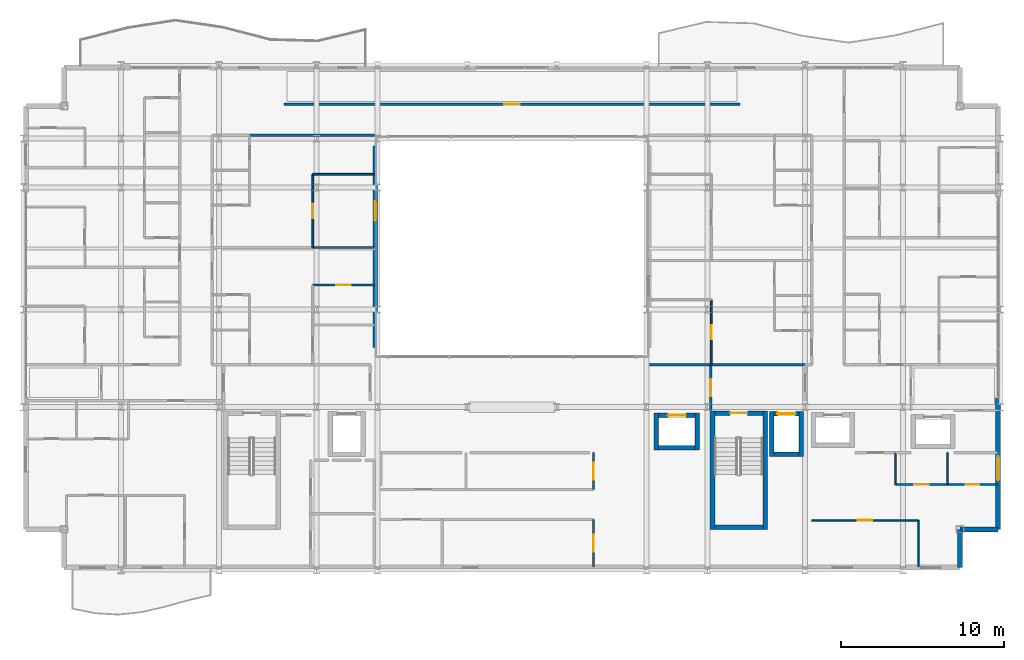
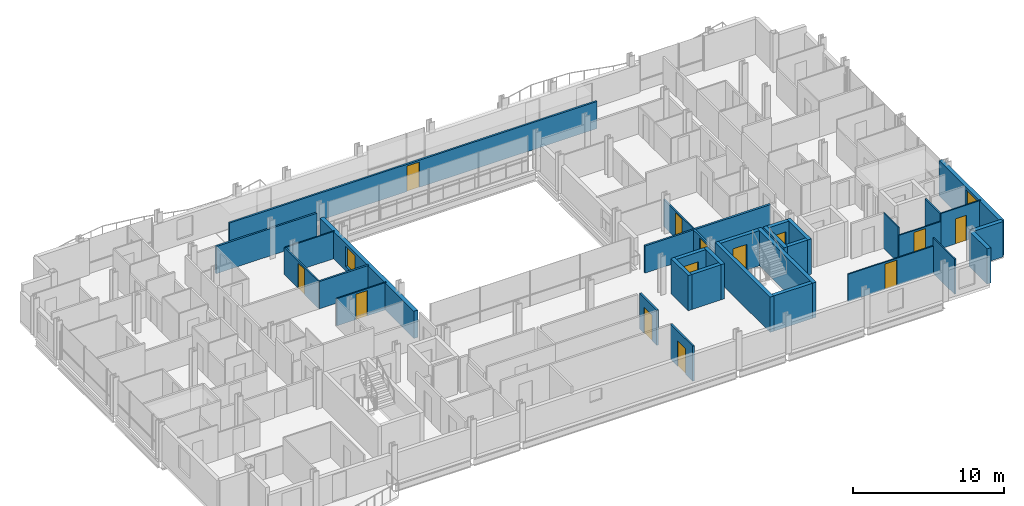
# One storey, part 34 of 41: 34 walls, 13 doors, 2 windows, 15 openings.
"""IFC4 building model written with IfcOpenShell, lengths in metres."""

import ifcopenshell
import ifcopenshell.guid

model = None  # the IFC model being written
_history = None  # IfcOwnerHistory: only IFC2X3 demands one
_inside = {}  # id of a spatial element -> (the spatial element, [elements in it])
_under = {}  # id of a project, library or spatial element -> (it, [spatial elements below it])
_declared = {}  # id of a project -> (the project, [libraries it declares])
_typed = {}  # id of a type object -> (the type object, [elements of that type])
_made_of = {}  # id of a material, layer set ... -> (it, [elements and type objects made of it])


def new_model(schema):
    """Start an empty IFC model of exactly this schema.

    Asked for "IFC4X3", IfcOpenShell would pick the latest addendum, in which some entities
    have other attributes; the version numbers below select the first issue.
    IFC2X3 requires an IfcOwnerHistory on every rooted entity: one is made here for all.
    """
    global model, _history
    if schema == "IFC4X3":
        model = ifcopenshell.file(schema_version=(4, 3, 0, 0))
    else:
        model = ifcopenshell.file(schema=schema)
    _inside.clear()
    _under.clear()
    _declared.clear()
    _typed.clear()
    _made_of.clear()
    _history = None
    if model.schema == "IFC2X3":
        org = make("IfcOrganization", Name="unknown")
        user = make(
            "IfcPersonAndOrganization",
            ThePerson=make("IfcPerson", FamilyName="unknown"),
            TheOrganization=org,
        )
        app = make(
            "IfcApplication",
            ApplicationDeveloper=org,
            Version="unknown",
            ApplicationFullName="unknown",
            ApplicationIdentifier="unknown",
        )
        _history = make(
            "IfcOwnerHistory",
            OwningUser=user,
            OwningApplication=app,
            ChangeAction="ADDED",
            CreationDate=0,
        )
    return model


def make(cls, **values):
    """One entity of the class cls with the attributes given. An attribute that is None is left unset."""
    return model.create_entity(
        cls, **{name: value for name, value in values.items() if value is not None}
    )


def rooted(cls, **values):
    """An entity with a GlobalId (a new one), such as an element, a storey or a relation."""
    return make(cls, GlobalId=ifcopenshell.guid.new(), OwnerHistory=_history, **values)


def si_unit(unit_type, name, prefix=None):
    """IfcSIUnit, for example si_unit("LENGTHUNIT", "METRE", prefix="MILLI")."""
    return make("IfcSIUnit", UnitType=unit_type, Prefix=prefix, Name=name)


def assignment(units):
    """IfcUnitAssignment: the units of a project."""
    return None if units is None else make("IfcUnitAssignment", Units=units)


def point(xyz):
    """IfcCartesianPoint."""
    return None if xyz is None else make("IfcCartesianPoint", Coordinates=xyz)


def direction(xyz):
    """IfcDirection."""
    return None if xyz is None else make("IfcDirection", DirectionRatios=xyz)


def frame(location, z_axis=None, x_axis=None):
    """IfcAxis2Placement3D, a coordinate frame: its origin and axes. An axis left out is left unset."""
    return make(
        "IfcAxis2Placement3D",
        Location=point(location),
        Axis=direction(z_axis),
        RefDirection=direction(x_axis),
    )


def frame_2d(location, x_axis=None):
    """IfcAxis2Placement2D, a coordinate frame in the plane: its origin and x axis."""
    return make(
        "IfcAxis2Placement2D", Location=point(location), RefDirection=direction(x_axis)
    )


def origin():
    """The frame at (0, 0, 0) with its axes left unset."""
    return frame((0.0, 0.0, 0.0))


def place(relative_to, where):
    """IfcLocalPlacement: puts the frame where relative to a parent placement (None: the world)."""
    return make(
        "IfcLocalPlacement", PlacementRelTo=relative_to, RelativePlacement=where
    )


def context(
    kind, dimensions, precision=None, world=None, true_north=None, identifier=None
):
    """IfcGeometricRepresentationContext, for example the 3D "Model" context."""
    return make(
        "IfcGeometricRepresentationContext",
        ContextIdentifier=identifier,
        ContextType=kind,
        CoordinateSpaceDimension=dimensions,
        Precision=precision,
        WorldCoordinateSystem=world,
        TrueNorth=true_north,
    )


def subcontext(parent, identifier, kind, view, scale=None):
    """IfcGeometricRepresentationSubContext, for example "Body" below "Model"."""
    return make(
        "IfcGeometricRepresentationSubContext",
        ContextIdentifier=identifier,
        ContextType=kind,
        ParentContext=parent,
        TargetScale=scale,
        TargetView=view,
    )


def project(units=None, contexts=None):
    """IfcProject with its units and contexts."""
    return rooted(
        "IfcProject",
        Name="project",
        RepresentationContexts=contexts,
        UnitsInContext=assignment(units),
    )


def spatial(cls, under=None, at=None, **own):
    """A site, building, storey or space (cls), placed at a placement, below another one or the project."""
    s = rooted(cls, ObjectPlacement=at, **own)
    if under is not None:
        _under.setdefault(under.id(), (under, []))[1].append(s)
    return s


def profile(cls, at=None, kind="AREA", **sizes):
    """A parametric profile (cls). Its sizes go by their IFC names, for example OverallWidth=200.0."""
    return make(cls, ProfileType=kind, Position=at, **sizes)


def rectangle(**sizes):
    """IfcRectangleProfileDef."""
    return profile("IfcRectangleProfileDef", **sizes)


def extrude(swept, where, along, depth):
    """IfcExtrudedAreaSolid: the profile swept, set in the frame where, extruded along a direction by depth."""
    return make(
        "IfcExtrudedAreaSolid",
        SweptArea=swept,
        Position=where,
        ExtrudedDirection=direction(along),
        Depth=depth,
    )


def shape(context_of_items, identifier, shape_type, items):
    """IfcShapeRepresentation: the items that make up one representation, for example the "Body"."""
    return make(
        "IfcShapeRepresentation",
        ContextOfItems=context_of_items,
        RepresentationIdentifier=identifier,
        RepresentationType=shape_type,
        Items=items,
    )


def material(Name=None, Category=None):
    """IfcMaterial."""
    return make("IfcMaterial", Name=Name, Category=Category)


def layer(
    of_material, thickness, ventilated=None, Name=None, Category=None, Priority=None
):
    """IfcMaterialLayer: one layer of a wall or slab, of a material (None: an air gap)."""
    return make(
        "IfcMaterialLayer",
        Material=of_material,
        LayerThickness=thickness,
        IsVentilated=ventilated,
        Name=Name,
        Category=Category,
        Priority=Priority,
    )


def layer_set(layers, Name=None):
    """IfcMaterialLayerSet."""
    return make("IfcMaterialLayerSet", MaterialLayers=layers, LayerSetName=Name)


def made_of(thing, what):
    """Note that an element or type object is made of a material, layer set ...; save() writes the relation."""
    if what is not None:
        _made_of.setdefault(what.id(), (what, []))[1].append(thing)
    return thing


def type_object(cls, material=None, **own):
    """A type object (cls), such as IfcWallType, which elements share."""
    return made_of(rooted(cls, **own), material)


def element(
    cls,
    number,
    at=None,
    inside=None,
    cuts=None,
    type_object=None,
    material=None,
    context=None,
    identifier="Body",
    shape_type=None,
    held_by="IfcProductDefinitionShape",
    body=None,
    shapes=None,
    **own,
):
    """One element of the class cls, such as IfcWall. Its Tag is "e" and its number.

    at: its placement. inside: the storey or other place that contains it. cuts: it is an
    opening in that element (IfcRelVoidsElement). A single representation is given by context,
    identifier, shape_type and body (its items); several are given by shapes. held_by: the class
    of the entity that holds the representations. save() writes the other relations.
    """
    e = rooted(cls, Tag="e%d" % number, ObjectPlacement=at, **own)
    if body is not None:
        shapes = [shape(context, identifier, shape_type, body)]
    if shapes is not None:
        e.Representation = make(held_by, Representations=shapes)
    if inside is not None:
        _inside.setdefault(inside.id(), (inside, []))[1].append(e)
    if cuts is not None:
        rooted(
            "IfcRelVoidsElement", RelatingBuildingElement=cuts, RelatedOpeningElement=e
        )
    if type_object is not None:
        _typed.setdefault(type_object.id(), (type_object, []))[1].append(e)
    return made_of(e, material)


def fill(opening, filler):
    """IfcRelFillsElement: the door or window that sits in an opening."""
    return rooted(
        "IfcRelFillsElement",
        RelatingOpeningElement=opening,
        RelatedBuildingElement=filler,
    )


def aggregate(whole, parts):
    """IfcRelAggregates: a whole, such as a stair, and the parts it consists of."""
    return rooted("IfcRelAggregates", RelatingObject=whole, RelatedObjects=parts)


def save(model, path):
    """Write the relations noted so far, then the file.

    IfcRelAggregates (storeys below a building ...), IfcRelContainedInSpatialStructure (elements
    in a storey), IfcRelDefinesByType, IfcRelAssociatesMaterial and IfcRelDeclares: one each for
    every whole, place, type object, material and project.
    """
    for whole, parts in _under.values():
        aggregate(whole, parts)
    for where, things in _inside.values():
        rooted(
            "IfcRelContainedInSpatialStructure",
            RelatedElements=things,
            RelatingStructure=where,
        )
    for kind, things in _typed.values():
        rooted("IfcRelDefinesByType", RelatedObjects=things, RelatingType=kind)
    for what, things in _made_of.values():
        rooted("IfcRelAssociatesMaterial", RelatedObjects=things, RelatingMaterial=what)
    for by, libraries in _declared.values():
        rooted("IfcRelDeclares", RelatingContext=by, RelatedDefinitions=libraries)
    model.write(path)


model = new_model("IFC4")

# Units and contexts
model_context = context("Model", 3, precision=1e-05, world=origin(), true_north=direction((0.0, 1.0)))
body_context = subcontext(model_context, "Body", "Model", "MODEL_VIEW")
ifc_project = project(units=[si_unit("LENGTHUNIT", "METRE"), si_unit("AREAUNIT", "SQUARE_METRE"), si_unit("VOLUMEUNIT", "CUBIC_METRE"), si_unit("PLANEANGLEUNIT", "RADIAN"), si_unit("MASSUNIT", "GRAM", prefix="KILO")], contexts=[model_context])

# Site, building, storey
site_placement = place(None, origin())
site = spatial("IfcSite", under=ifc_project, at=site_placement, CompositionType="ELEMENT")
building_placement = place(site_placement, origin())
building = spatial("IfcBuilding", under=site, at=building_placement, Name="Brevholm Reach", CompositionType="ELEMENT")
storey_placement = place(building_placement, frame((0.0, 0.0, 93.10009765625)))
storey = spatial("IfcBuildingStorey", under=building, at=storey_placement, Name="L27", CompositionType="ELEMENT", Elevation=93.10009765625)

# Walls
ifc_material_1 = material(Name="Concrete C50/60", Category="concrete")
ifc_layer_1 = layer(ifc_material_1, 0.280029296875)
ifc_layer_set_1 = layer_set([ifc_layer_1], Name="Concrete C50/60")
wall_type_1 = type_object("IfcWallType", Name="WAL-COR-280", PredefinedType="SHEAR", material=ifc_layer_set_1)
for number, where, z_axis, x_axis, name in (
    (1, (42.31005859375, 2.5, 0.0), (0.0, 0.0, 1.0), (0.0, 1.0, 0.0), "L27 Escape Stair ST-2 Core Wall W"),
    (2, (45.5400390625, 2.5, 0.0), (0.0, 0.0, 1.0), (0.0, 1.0, 0.0), "L27 Escape Stair ST-2 Core Wall E"),
):
    element("IfcWall", number, at=place(storey_placement, frame(where, z_axis=z_axis, x_axis=x_axis)), inside=storey, type_object=wall_type_1, Name=name, PredefinedType="SHEAR", context=body_context, shape_type="SweptSolid", body=[
        extrude(rectangle(XDim=7.280029296875, YDim=0.280029296875, at=frame_2d((3.64013671875, 0.0))), origin(), (0.0, 0.0, 1.0), 2.83984375),
    ])
wall_1_placement = place(storey_placement, frame((42.449951171875, 2.639892578125, 0.0), z_axis=(0.0, 0.0, 1.0), x_axis=(1.0, 0.0, 0.0)))
element("IfcWall", 3, at=wall_1_placement, inside=storey, type_object=wall_type_1, Name="L27 Escape Stair ST-2 Core Wall S", PredefinedType="SHEAR", context=body_context, shape_type="SweptSolid", body=[
    extrude(rectangle(XDim=2.949951171875, YDim=0.280029296875, at=frame_2d((1.47509765625, 0.0))), origin(), (0.0, 0.0, 1.0), 2.83984375),
])

# Wall, opening, door
wall_2_placement = place(storey_placement, frame((45.39990234375, 9.639892578125, 0.0), z_axis=(0.0, 0.0, 1.0), x_axis=(-1.0, 0.0, 0.0)))
wall_2 = element("IfcWall", 4, at=wall_2_placement, inside=storey, type_object=wall_type_1, Name="L27 Escape Stair ST-2 Core Wall N", PredefinedType="SHEAR", context=body_context, shape_type="SweptSolid", body=[
    extrude(rectangle(XDim=2.949951171875, YDim=0.280029296875, at=frame_2d((1.47509765625, 0.0))), origin(), (0.0, 0.0, 1.0), 2.83984375),
])
opening_1_placement = place(wall_2_placement, frame((0.949951171875, 0.0, 0.0)))
opening_1 = element("IfcOpeningElement", 5, at=opening_1_placement, cuts=wall_2, Name="Opening SD-ST-2", PredefinedType="OPENING", context=body_context, shape_type="SweptSolid", body=[
    extrude(rectangle(XDim=1.050048828125, YDim=2.06005859375, at=frame_2d((0.52490234375, 1.030029296875))), frame((0.0, 0.14990234375, 0.0), z_axis=(0.0, -1.0, 0.0), x_axis=(1.0, 0.0, 0.0)), (0.0, 0.0, 1.0), 0.300048828125),
])
ifc_material_2 = material(Name="Hardwood-Lipped Steel-Core Fire and Smoke Door", Category="steel")
door_type_1 = type_object("IfcDoorType", Name="DOR-INT-FD60S", OperationType="NOTDEFINED", PredefinedType="DOOR", material=ifc_material_2)
door_1_placement = place(opening_1_placement, origin())
door_1 = element("IfcDoor", 6, at=door_1_placement, inside=storey, type_object=door_type_1, Name="L27 Protected Stair ST-2 Lobby Door", OperationType="SINGLE_SWING_RIGHT", OverallHeight=2.06005859375, OverallWidth=1.050048828125, PredefinedType="DOOR", context=body_context, shape_type="SweptSolid", body=[
    extrude(rectangle(XDim=1.050048828125, YDim=2.06005859375, at=frame_2d((0.52490234375, 1.030029296875))), frame((0.0, 0.02490234375, 0.0), z_axis=(0.0, -1.0, 0.0), x_axis=(1.0, 0.0, 0.0)), (0.0, 0.0, 1.0), 0.050048828125),
])
fill(opening_1, door_1)

# Walls
for number, where, z_axis, x_axis, name in (
    (7, (45.949951171875, 6.9599609375, 0.0), (0.0, 0.0, 1.0), (0.0, 1.0, 0.0), "L27 Lift FFL-2 Shaft Wall W"),
    (8, (47.75, 6.9599609375, 0.0), (0.0, 0.0, 1.0), (0.0, 1.0, 0.0), "L27 Lift FFL-2 Shaft Wall E"),
):
    element("IfcWall", number, at=place(storey_placement, frame(where, z_axis=z_axis, x_axis=x_axis)), inside=storey, type_object=wall_type_1, Name=name, PredefinedType="SHEAR", context=body_context, shape_type="SweptSolid", body=[
        extrude(rectangle(XDim=2.780029296875, YDim=0.280029296875, at=frame_2d((1.39013671875, 0.0))), origin(), (0.0, 0.0, 1.0), 2.83984375),
    ])
wall_3_placement = place(storey_placement, frame((46.090087890625, 7.10009765625, 0.0), z_axis=(0.0, 0.0, 1.0), x_axis=(1.0, 0.0, 0.0)))
element("IfcWall", 9, at=wall_3_placement, inside=storey, type_object=wall_type_1, Name="L27 Lift FFL-2 Shaft Wall S", PredefinedType="SHEAR", context=body_context, shape_type="SweptSolid", body=[
    extrude(rectangle(XDim=1.52001953125, YDim=0.280029296875, at=frame_2d((0.760009765625, 0.0))), origin(), (0.0, 0.0, 1.0), 2.83984375),
])

# Wall, opening, door
wall_4_placement = place(storey_placement, frame((46.090087890625, 9.60009765625, 0.0), z_axis=(0.0, 0.0, 1.0), x_axis=(1.0, 0.0, 0.0)))
wall_4 = element("IfcWall", 10, at=wall_4_placement, inside=storey, type_object=wall_type_1, Name="L27 Lift FFL-2 Shaft Wall N", PredefinedType="SHEAR", context=body_context, shape_type="SweptSolid", body=[
    extrude(rectangle(XDim=1.52001953125, YDim=0.280029296875, at=frame_2d((0.760009765625, 0.0))), origin(), (0.0, 0.0, 1.0), 2.83984375),
])
opening_2_placement = place(wall_4_placement, frame((0.2099609375, 0.0, 0.0)))
opening_2 = element("IfcOpeningElement", 11, at=opening_2_placement, cuts=wall_4, Name="Opening LD-FFL-2", PredefinedType="OPENING", context=body_context, shape_type="SweptSolid", body=[
    extrude(rectangle(XDim=1.10009765625, YDim=2.06005859375, at=frame_2d((0.550048828125, 1.030029296875))), frame((0.0, 0.14990234375, 0.0), z_axis=(0.0, -1.0, 0.0), x_axis=(1.0, 0.0, 0.0)), (0.0, 0.0, 1.0), 0.300048828125),
])
ifc_material_3 = material(Name="Brushed Stainless Steel Fire-Rated Sliding Lift Door", Category="steel")
door_type_2 = type_object("IfcDoorType", Name="DOR-LFT-1100", OperationType="NOTDEFINED", PredefinedType="DOOR", material=ifc_material_3)
door_2_placement = place(opening_2_placement, origin())
door_2 = element("IfcDoor", 12, at=door_2_placement, inside=storey, type_object=door_type_2, Name="L27 Lift FFL-2 Sliding Landing Door", OperationType="SLIDING_TO_RIGHT", OverallHeight=2.06005859375, OverallWidth=1.10009765625, PredefinedType="DOOR", context=body_context, shape_type="SweptSolid", body=[
    extrude(rectangle(XDim=1.10009765625, YDim=2.06005859375, at=frame_2d((0.550048828125, 1.030029296875))), frame((0.0, 0.02490234375, 0.0), z_axis=(0.0, -1.0, 0.0), x_axis=(1.0, 0.0, 0.0)), (0.0, 0.0, 1.0), 0.050048828125),
])
fill(opening_2, door_2)

# Walls
for number, where, z_axis, x_axis, name in (
    (13, (38.8701171875, 7.360107421875, 0.0), (0.0, 0.0, 1.0), (0.0, 1.0, 0.0), "L27 Lift PL-S1 Shaft Wall W"),
    (14, (41.3701171875, 7.360107421875, 0.0), (0.0, 0.0, 1.0), (0.0, 1.0, 0.0), "L27 Lift PL-S1 Shaft Wall E"),
):
    element("IfcWall", number, at=place(storey_placement, frame(where, z_axis=z_axis, x_axis=x_axis)), inside=storey, type_object=wall_type_1, Name=name, PredefinedType="SHEAR", context=body_context, shape_type="SweptSolid", body=[
        extrude(rectangle(XDim=2.27978515625, YDim=0.280029296875, at=frame_2d((1.139892578125, 0.0))), origin(), (0.0, 0.0, 1.0), 2.83984375),
    ])
wall_5_placement = place(storey_placement, frame((39.010009765625, 7.5, 0.0), z_axis=(0.0, 0.0, 1.0), x_axis=(1.0, 0.0, 0.0)))
element("IfcWall", 15, at=wall_5_placement, inside=storey, type_object=wall_type_1, Name="L27 Lift PL-S1 Shaft Wall S", PredefinedType="SHEAR", context=body_context, shape_type="SweptSolid", body=[
    extrude(rectangle(XDim=2.219970703125, YDim=0.280029296875, at=frame_2d((1.10986328125, 0.0))), origin(), (0.0, 0.0, 1.0), 2.83984375),
])

# Wall, opening, door
wall_6_placement = place(storey_placement, frame((39.010009765625, 9.5, 0.0), z_axis=(0.0, 0.0, 1.0), x_axis=(1.0, 0.0, 0.0)))
wall_6 = element("IfcWall", 16, at=wall_6_placement, inside=storey, type_object=wall_type_1, Name="L27 Lift PL-S1 Shaft Wall N", PredefinedType="SHEAR", context=body_context, shape_type="SweptSolid", body=[
    extrude(rectangle(XDim=2.219970703125, YDim=0.280029296875, at=frame_2d((1.10986328125, 0.0))), origin(), (0.0, 0.0, 1.0), 2.83984375),
])
opening_3_placement = place(wall_6_placement, frame((0.56005859375, 0.0, 0.0)))
opening_3 = element("IfcOpeningElement", 17, at=opening_3_placement, cuts=wall_6, Name="Opening LD-PL-S1", PredefinedType="OPENING", context=body_context, shape_type="SweptSolid", body=[
    extrude(rectangle(XDim=1.10009765625, YDim=2.06005859375, at=frame_2d((0.550048828125, 1.030029296875))), frame((0.0, 0.14990234375, 0.0), z_axis=(0.0, -1.0, 0.0), x_axis=(1.0, 0.0, 0.0)), (0.0, 0.0, 1.0), 0.300048828125),
])
door_3_placement = place(opening_3_placement, origin())
door_3 = element("IfcDoor", 18, at=door_3_placement, inside=storey, type_object=door_type_2, Name="L27 Lift PL-S1 Sliding Landing Door", OperationType="SLIDING_TO_LEFT", OverallHeight=2.06005859375, OverallWidth=1.10009765625, PredefinedType="DOOR", context=body_context, shape_type="SweptSolid", body=[
    extrude(rectangle(XDim=1.10009765625, YDim=2.06005859375, at=frame_2d((0.550048828125, 1.030029296875))), frame((0.0, 0.02490234375, 0.0), z_axis=(0.0, -1.0, 0.0), x_axis=(1.0, 0.0, 0.0)), (0.0, 0.0, 1.0), 0.050048828125),
])
fill(opening_3, door_3)

# Walls
ifc_material_4 = material(Name="Concrete C40/50", Category="concrete")
ifc_layer_2 = layer(ifc_material_4, 0.300048828125)
ifc_layer_set_2 = layer_set([ifc_layer_2], Name="Concrete C40/50")
wall_type_2 = type_object("IfcWallType", Name="WAL-EXT-300", PredefinedType="STANDARD", material=ifc_layer_set_2)
for number, where, z_axis, x_axis, name in (
    (19, (57.5, 0.14990234375, 0.0), (0.0, 0.0, 1.0), (0.0, 1.0, 0.0), "L27 Facade Wall WAL-L27-CSE1"),
    (20, (57.5, 2.5, 0.0), (0.0, 0.0, 1.0), (1.0, 0.0, 0.0), "L27 Facade Wall WAL-L27-CSE2"),
):
    element("IfcWall", number, at=place(storey_placement, frame(where, z_axis=z_axis, x_axis=x_axis)), inside=storey, type_object=wall_type_2, Name=name, PredefinedType="STANDARD", context=body_context, shape_type="SweptSolid", body=[
        extrude(rectangle(XDim=2.35009765625, YDim=0.300048828125, at=frame_2d((1.175048828125, 0.0))), origin(), (0.0, 0.0, 1.0), 2.83984375),
    ])

# Wall, opening, window
wall_7_placement = place(storey_placement, frame((59.85009765625, 2.5, 0.0), z_axis=(0.0, 0.0, 1.0), x_axis=(0.0, 1.0, 0.0)))
wall_7 = element("IfcWall", 21, at=wall_7_placement, inside=storey, type_object=wall_type_2, Name="L27 Facade Wall WAL-L27-E-S", PredefinedType="STANDARD", context=body_context, shape_type="SweptSolid", body=[
    extrude(rectangle(XDim=8.050048828125, YDim=0.300048828125, at=frame_2d((4.02490234375, 0.0))), origin(), (0.0, 0.0, 1.0), 2.83984375),
])
opening_4_placement = place(wall_7_placement, frame((3.0, 0.0, 0.820068359375)))
opening_4 = element("IfcOpeningElement", 22, at=opening_4_placement, cuts=wall_7, Name="Opening WN-05", PredefinedType="OPENING", context=body_context, shape_type="SweptSolid", body=[
    extrude(rectangle(XDim=1.5, YDim=1.800048828125, at=frame_2d((0.75, 0.89990234375))), frame((0.0, 0.159912109375, 0.0), z_axis=(0.0, -1.0, 0.0), x_axis=(1.0, 0.0, 0.0)), (0.0, 0.0, 1.0), 0.320068359375),
])
ifc_material_5 = material(Name="Dark Anodised Aluminium and Solar-Control IGU Glass", Category="aluminium")
window_type_1 = type_object("IfcWindowType", Name="WIN-RES-1500", PartitioningType="SINGLE_PANEL", PredefinedType="WINDOW", material=ifc_material_5)
window_1_placement = place(opening_4_placement, origin())
window_1 = element("IfcWindow", 23, at=window_1_placement, inside=storey, type_object=window_type_1, Name="L27 Window WIN-L27-ES-1", OverallHeight=1.800048828125, OverallWidth=1.5, PartitioningType="SINGLE_PANEL", PredefinedType="WINDOW", context=body_context, shape_type="SweptSolid", body=[
    extrude(rectangle(XDim=1.5, YDim=1.800048828125, at=frame_2d((0.75, 0.89990234375))), frame((0.0, 0.030029296875, 0.0), z_axis=(0.0, -1.0, 0.0), x_axis=(1.0, 0.0, 0.0)), (0.0, 0.0, 1.0), 0.06005859375),
])
fill(opening_4, window_1)

wall_8_placement = place(storey_placement, frame((21.60009765625, 26.050048828125, 0.0), z_axis=(0.0, 0.0, 1.0), x_axis=(0.0, -1.0, 0.0)))
wall_8 = element("IfcWall", 24, at=wall_8_placement, inside=storey, type_object=wall_type_2, Name="L27 Facade Wall WAL-L27-AT-W", PredefinedType="STANDARD", context=body_context, shape_type="SweptSolid", body=[
    extrude(rectangle(XDim=12.400146484375, YDim=0.300048828125, at=frame_2d((6.2001953125, 0.0))), origin(), (0.0, 0.0, 1.0), 2.19482421875),
])
opening_5_placement = place(wall_8_placement, frame((3.39990234375, 0.0, 0.375)))
opening_5 = element("IfcOpeningElement", 25, at=opening_5_placement, cuts=wall_8, Name="Opening WN-08", PredefinedType="OPENING", context=body_context, shape_type="SweptSolid", body=[
    extrude(rectangle(XDim=1.199951171875, YDim=1.60009765625, at=frame_2d((0.60009765625, 0.800048828125))), frame((0.0, 0.159912109375, 0.0), z_axis=(0.0, -1.0, 0.0), x_axis=(1.0, 0.0, 0.0)), (0.0, 0.0, 1.0), 0.320068359375),
])
ifc_material_6 = material(Name="Dark Anodised Aluminium and Solar-Control IGU Glass", Category="aluminium")
window_type_2 = type_object("IfcWindowType", Name="WIN-RES-1200", PartitioningType="SINGLE_PANEL", PredefinedType="WINDOW", material=ifc_material_6)
window_2_placement = place(opening_5_placement, origin())
window_2 = element("IfcWindow", 26, at=window_2_placement, inside=storey, type_object=window_type_2, Name="L27 Window WIN-L27-AT-W1", OverallHeight=1.60009765625, OverallWidth=1.199951171875, PartitioningType="SINGLE_PANEL", PredefinedType="WINDOW", context=body_context, shape_type="SweptSolid", body=[
    extrude(rectangle(XDim=1.199951171875, YDim=1.60009765625, at=frame_2d((0.60009765625, 0.800048828125))), frame((0.0, 0.030029296875, 0.0), z_axis=(0.0, -1.0, 0.0), x_axis=(1.0, 0.0, 0.0)), (0.0, 0.0, 1.0), 0.06005859375),
])
fill(opening_5, window_2)

# Wall
ifc_material_7 = material(Name="Moisture-Resistant Acoustic Gypsum Stud Partition 100 mm", Category="gypsum")
ifc_layer_3 = layer(ifc_material_7, 0.10009765625)
ifc_layer_set_3 = layer_set([ifc_layer_3], Name="Moisture-Resistant Acoustic Gypsum Stud Partition 100 mm")
wall_type_3 = type_object("IfcWallType", Name="WAL-PRT-100", PredefinedType="PARTITIONING", material=ifc_layer_set_3)
wall_9_placement = place(storey_placement, frame((56.75, 5.25, 0.0), z_axis=(0.0, 0.0, 1.0), x_axis=(0.0, 1.0, 0.0)))
element("IfcWall", 27, at=wall_9_placement, inside=storey, type_object=wall_type_3, Name="L27 Internal Partition 084", PredefinedType="PARTITIONING", context=body_context, shape_type="SweptSolid", body=[
    extrude(rectangle(XDim=1.949951171875, YDim=0.10009765625, at=frame_2d((0.97509765625, 0.0))), origin(), (0.0, 0.0, 1.0), 2.83984375),
])

# Wall, opening, door
wall_10_placement = place(storey_placement, frame((56.75, 5.25, 0.0), z_axis=(0.0, 0.0, 1.0), x_axis=(1.0, 0.0, 0.0)))
wall_10 = element("IfcWall", 28, at=wall_10_placement, inside=storey, type_object=wall_type_3, Name="L27 Internal Partition 085", PredefinedType="PARTITIONING", context=body_context, shape_type="SweptSolid", body=[
    extrude(rectangle(XDim=3.050048828125, YDim=0.10009765625, at=frame_2d((1.52490234375, 0.0))), origin(), (0.0, 0.0, 1.0), 2.83984375),
])
opening_6_placement = place(wall_10_placement, frame((1.114990234375, 0.0, 0.0)))
opening_6 = element("IfcOpeningElement", 29, at=opening_6_placement, cuts=wall_10, Name="Opening ID-03", PredefinedType="OPENING", context=body_context, shape_type="SweptSolid", body=[
    extrude(rectangle(XDim=0.820068359375, YDim=2.02001953125, at=frame_2d((0.41015625, 1.010009765625))), frame((0.0, 0.06005859375, 0.0), z_axis=(0.0, -1.0, 0.0), x_axis=(1.0, 0.0, 0.0)), (0.0, 0.0, 1.0), 0.1201171875),
])
ifc_material_8 = material(Name="Moisture-Resistant Painted Timber Internal Bathroom Door", Category="wood")
door_type_3 = type_object("IfcDoorType", Name="DOR-BATH-820", OperationType="NOTDEFINED", PredefinedType="DOOR", material=ifc_material_8)
door_4_placement = place(opening_6_placement, origin())
door_4 = element("IfcDoor", 30, at=door_4_placement, inside=storey, type_object=door_type_3, Name="L27 Internal Door 030", OperationType="SINGLE_SWING_LEFT", OverallHeight=2.02001953125, OverallWidth=0.820068359375, PredefinedType="DOOR", context=body_context, shape_type="SweptSolid", body=[
    extrude(rectangle(XDim=0.820068359375, YDim=2.02001953125, at=frame_2d((0.41015625, 1.010009765625))), frame((0.0, 0.02490234375, 0.0), z_axis=(0.0, -1.0, 0.0), x_axis=(1.0, 0.0, 0.0)), (0.0, 0.0, 1.0), 0.050048828125),
])
fill(opening_6, door_4)

wall_11_placement = place(storey_placement, frame((53.55810546875, 5.25, 0.0), z_axis=(0.0, 0.0, 1.0), x_axis=(1.0, 0.0, 0.0)))
wall_11 = element("IfcWall", 31, at=wall_11_placement, inside=storey, type_object=wall_type_3, Name="L27 Internal Partition 086", PredefinedType="PARTITIONING", context=body_context, shape_type="SweptSolid", body=[
    extrude(rectangle(XDim=3.18798828125, YDim=0.10009765625, at=frame_2d((1.593994140625, 0.0))), origin(), (0.0, 0.0, 1.0), 2.19482421875),
])
opening_7_placement = place(wall_11_placement, frame((1.154052734375, 0.0, 0.0)))
opening_7 = element("IfcOpeningElement", 32, at=opening_7_placement, cuts=wall_11, Name="Opening ID-01", PredefinedType="OPENING", context=body_context, shape_type="SweptSolid", body=[
    extrude(rectangle(XDim=0.8798828125, YDim=2.0400390625, at=frame_2d((0.43994140625, 1.02001953125))), frame((0.0, 0.06005859375, 0.0), z_axis=(0.0, -1.0, 0.0), x_axis=(1.0, 0.0, 0.0)), (0.0, 0.0, 1.0), 0.1201171875),
])
ifc_material_9 = material(Name="Lacquered Ash Solid-Core Acoustic Internal Door", Category="timber")
door_type_4 = type_object("IfcDoorType", Name="DOR-INT-880", OperationType="NOTDEFINED", PredefinedType="DOOR", material=ifc_material_9)
door_5_placement = place(opening_7_placement, origin())
door_5 = element("IfcDoor", 33, at=door_5_placement, inside=storey, type_object=door_type_4, Name="L27 Internal Door 031", OperationType="SINGLE_SWING_RIGHT", OverallHeight=2.0400390625, OverallWidth=0.8798828125, PredefinedType="DOOR", context=body_context, shape_type="SweptSolid", body=[
    extrude(rectangle(XDim=0.8798828125, YDim=2.0400390625, at=frame_2d((0.43994140625, 1.02001953125))), frame((0.0, 0.02490234375, 0.0), z_axis=(0.0, -1.0, 0.0), x_axis=(1.0, 0.0, 0.0)), (0.0, 0.0, 1.0), 0.050048828125),
])
fill(opening_7, door_5)

# Walls
wall_12_placement = place(storey_placement, frame((53.55810546875, 5.25, 0.0), z_axis=(0.0, 0.0, 1.0), x_axis=(0.0, 1.0, 0.0)))
element("IfcWall", 34, at=wall_12_placement, inside=storey, type_object=wall_type_3, Name="L27 Internal Partition 087", PredefinedType="PARTITIONING", context=body_context, shape_type="SweptSolid", body=[
    extrude(rectangle(XDim=1.946044921875, YDim=0.10009765625, at=frame_2d((0.97314453125, 0.0))), origin(), (0.0, 0.0, 1.0), 2.83984375),
])
wall_13_placement = place(storey_placement, frame((54.949951171875, 0.199951171875, 0.0), z_axis=(0.0, 0.0, 1.0), x_axis=(0.0, 1.0, 0.0)))
element("IfcWall", 35, at=wall_13_placement, inside=storey, type_object=wall_type_3, Name="L27 Internal Partition 088", PredefinedType="PARTITIONING", context=body_context, shape_type="SweptSolid", body=[
    extrude(rectangle(XDim=2.85009765625, YDim=0.10009765625, at=frame_2d((1.425048828125, 0.0))), origin(), (0.0, 0.0, 1.0), 2.83984375),
])

# Wall, opening, door
wall_14_placement = place(storey_placement, frame((48.39990234375, 3.050048828125, 0.0), z_axis=(0.0, 0.0, 1.0), x_axis=(1.0, 0.0, 0.0)))
wall_14 = element("IfcWall", 36, at=wall_14_placement, inside=storey, type_object=wall_type_3, Name="L27 Internal Partition 089", PredefinedType="PARTITIONING", context=body_context, shape_type="SweptSolid", body=[
    extrude(rectangle(XDim=6.550048828125, YDim=0.10009765625, at=frame_2d((3.27490234375, 0.0))), origin(), (0.0, 0.0, 1.0), 2.19482421875),
])
opening_8_placement = place(wall_14_placement, frame((2.8349609375, 0.0, 0.0)))
opening_8 = element("IfcOpeningElement", 37, at=opening_8_placement, cuts=wall_14, Name="Opening ID-01", PredefinedType="OPENING", context=body_context, shape_type="SweptSolid", body=[
    extrude(rectangle(XDim=0.8798828125, YDim=2.0400390625, at=frame_2d((0.43994140625, 1.02001953125))), frame((0.0, 0.06005859375, 0.0), z_axis=(0.0, -1.0, 0.0), x_axis=(1.0, 0.0, 0.0)), (0.0, 0.0, 1.0), 0.1201171875),
])
door_6_placement = place(opening_8_placement, origin())
door_6 = element("IfcDoor", 38, at=door_6_placement, inside=storey, type_object=door_type_4, Name="L27 Internal Door 032", OperationType="SINGLE_SWING_LEFT", OverallHeight=2.0400390625, OverallWidth=0.8798828125, PredefinedType="DOOR", context=body_context, shape_type="SweptSolid", body=[
    extrude(rectangle(XDim=0.8798828125, YDim=2.0400390625, at=frame_2d((0.43994140625, 1.02001953125))), frame((0.0, 0.02490234375, 0.0), z_axis=(0.0, -1.0, 0.0), x_axis=(1.0, 0.0, 0.0)), (0.0, 0.0, 1.0), 0.050048828125),
])
fill(opening_8, door_6)

wall_15_placement = place(storey_placement, frame((17.76904296875, 17.5, 0.0), z_axis=(0.0, 0.0, 1.0), x_axis=(1.0, 0.0, 0.0)))
wall_15 = element("IfcWall", 39, at=wall_15_placement, inside=storey, type_object=wall_type_3, Name="L27 Internal Partition 120", PredefinedType="PARTITIONING", context=body_context, shape_type="SweptSolid", body=[
    extrude(rectangle(XDim=3.781005859375, YDim=0.10009765625, at=frame_2d((1.890625, 0.0))), origin(), (0.0, 0.0, 1.0), 2.19482421875),
])
opening_9_placement = place(wall_15_placement, frame((1.450439453125, 0.0, 0.0)))
opening_9 = element("IfcOpeningElement", 40, at=opening_9_placement, cuts=wall_15, Name="Opening ID-01", PredefinedType="OPENING", context=body_context, shape_type="SweptSolid", body=[
    extrude(rectangle(XDim=0.8798828125, YDim=2.0400390625, at=frame_2d((0.43994140625, 1.02001953125))), frame((0.0, 0.06005859375, 0.0), z_axis=(0.0, -1.0, 0.0), x_axis=(1.0, 0.0, 0.0)), (0.0, 0.0, 1.0), 0.1201171875),
])
door_7_placement = place(opening_9_placement, origin())
door_7 = element("IfcDoor", 41, at=door_7_placement, inside=storey, type_object=door_type_4, Name="L27 Internal Door 045", OperationType="SINGLE_SWING_RIGHT", OverallHeight=2.0400390625, OverallWidth=0.8798828125, PredefinedType="DOOR", context=body_context, shape_type="SweptSolid", body=[
    extrude(rectangle(XDim=0.8798828125, YDim=2.0400390625, at=frame_2d((0.43994140625, 1.02001953125))), frame((0.0, 0.02490234375, 0.0), z_axis=(0.0, -1.0, 0.0), x_axis=(1.0, 0.0, 0.0)), (0.0, 0.0, 1.0), 0.050048828125),
])
fill(opening_9, door_7)

# Wall
wall_16_placement = place(storey_placement, frame((17.76904296875, 24.300048828125, 0.0), z_axis=(0.0, 0.0, 1.0), x_axis=(1.0, 0.0, 0.0)))
element("IfcWall", 42, at=wall_16_placement, inside=storey, type_object=wall_type_3, Name="L27 Internal Partition 128", PredefinedType="PARTITIONING", context=body_context, shape_type="SweptSolid", body=[
    extrude(rectangle(XDim=3.781005859375, YDim=0.10009765625, at=frame_2d((1.890625, 0.0))), origin(), (0.0, 0.0, 1.0), 2.19482421875),
])

# Wall, opening, door
wall_17_placement = place(storey_placement, frame((17.76904296875, 19.803955078125, 0.0), z_axis=(0.0, 0.0, 1.0), x_axis=(0.0, 1.0, 0.0)))
wall_17 = element("IfcWall", 43, at=wall_17_placement, inside=storey, type_object=wall_type_3, Name="L27 Internal Partition 129", PredefinedType="PARTITIONING", context=body_context, shape_type="SweptSolid", body=[
    extrude(rectangle(XDim=4.49609375, YDim=0.10009765625, at=frame_2d((2.248046875, 0.0))), origin(), (0.0, 0.0, 1.0), 2.19482421875),
])
opening_10_placement = place(wall_17_placement, frame((1.80810546875, 0.0, 0.0)))
opening_10 = element("IfcOpeningElement", 44, at=opening_10_placement, cuts=wall_17, Name="Opening ID-01", PredefinedType="OPENING", context=body_context, shape_type="SweptSolid", body=[
    extrude(rectangle(XDim=0.8798828125, YDim=2.0400390625, at=frame_2d((0.43994140625, 1.02001953125))), frame((0.0, 0.06005859375, 0.0), z_axis=(0.0, -1.0, 0.0), x_axis=(1.0, 0.0, 0.0)), (0.0, 0.0, 1.0), 0.1201171875),
])
door_8_placement = place(opening_10_placement, origin())
door_8 = element("IfcDoor", 45, at=door_8_placement, inside=storey, type_object=door_type_4, Name="L27 Internal Door 048", OperationType="SINGLE_SWING_LEFT", OverallHeight=2.0400390625, OverallWidth=0.8798828125, PredefinedType="DOOR", context=body_context, shape_type="SweptSolid", body=[
    extrude(rectangle(XDim=0.8798828125, YDim=2.0400390625, at=frame_2d((0.43994140625, 1.02001953125))), frame((0.0, 0.02490234375, 0.0), z_axis=(0.0, -1.0, 0.0), x_axis=(1.0, 0.0, 0.0)), (0.0, 0.0, 1.0), 0.050048828125),
])
fill(opening_10, door_8)

wall_18_placement = place(storey_placement, frame((42.23095703125, 12.60400390625, 0.0), z_axis=(0.0, 0.0, 1.0), x_axis=(0.0, 1.0, 0.0)))
wall_18 = element("IfcWall", 46, at=wall_18_placement, inside=storey, type_object=wall_type_3, Name="L27 Internal Partition 135", PredefinedType="PARTITIONING", context=body_context, shape_type="SweptSolid", body=[
    extrude(rectangle(XDim=3.99609375, YDim=0.10009765625, at=frame_2d((1.998046875, 0.0))), origin(), (0.0, 0.0, 1.0), 2.19482421875),
])
opening_11_placement = place(wall_18_placement, frame((1.55810546875, 0.0, 0.0)))
opening_11 = element("IfcOpeningElement", 47, at=opening_11_placement, cuts=wall_18, Name="Opening ID-01", PredefinedType="OPENING", context=body_context, shape_type="SweptSolid", body=[
    extrude(rectangle(XDim=0.8798828125, YDim=2.0400390625, at=frame_2d((0.43994140625, 1.02001953125))), frame((0.0, 0.06005859375, 0.0), z_axis=(0.0, -1.0, 0.0), x_axis=(1.0, 0.0, 0.0)), (0.0, 0.0, 1.0), 0.1201171875),
])
door_9_placement = place(opening_11_placement, origin())
door_9 = element("IfcDoor", 48, at=door_9_placement, inside=storey, type_object=door_type_4, Name="L27 Internal Door 051", OperationType="SINGLE_SWING_RIGHT", OverallHeight=2.0400390625, OverallWidth=0.8798828125, PredefinedType="DOOR", context=body_context, shape_type="SweptSolid", body=[
    extrude(rectangle(XDim=0.8798828125, YDim=2.0400390625, at=frame_2d((0.43994140625, 1.02001953125))), frame((0.0, 0.02490234375, 0.0), z_axis=(0.0, -1.0, 0.0), x_axis=(1.0, 0.0, 0.0)), (0.0, 0.0, 1.0), 0.050048828125),
])
fill(opening_11, door_9)

ifc_material_10 = material(Name="Twin-Stud Acoustic Fire-Rated Gypsum Partition 140 mm", Category="gypsum")
ifc_layer_4 = layer(ifc_material_10, 0.139892578125)
ifc_layer_set_4 = layer_set([ifc_layer_4], Name="Twin-Stud Acoustic Fire-Rated Gypsum Partition 140 mm")
wall_type_4 = type_object("IfcWallType", Name="WAL-PRT-140", PredefinedType="PARTITIONING", material=ifc_layer_set_4)
wall_19_placement = place(storey_placement, frame((35.0, 0.179931640625, 0.0), z_axis=(0.0, 0.0, 1.0), x_axis=(0.0, 1.0, 0.0)))
wall_19 = element("IfcWall", 49, at=wall_19_placement, inside=storey, type_object=wall_type_4, Name="L27 Internal Partition 001", PredefinedType="PARTITIONING", context=body_context, shape_type="SweptSolid", body=[
    extrude(rectangle(XDim=2.927490234375, YDim=0.139892578125, at=frame_2d((1.4638671875, 0.0))), origin(), (0.0, 0.0, 1.0), 2.83984375),
])
opening_12_placement = place(wall_19_placement, frame((0.938720703125, 0.0, 0.0)))
opening_12 = element("IfcOpeningElement", 50, at=opening_12_placement, cuts=wall_19, Name="Opening FD-01", PredefinedType="OPENING", context=body_context, shape_type="SweptSolid", body=[
    extrude(rectangle(XDim=1.050048828125, YDim=2.06005859375, at=frame_2d((0.52490234375, 1.030029296875))), frame((0.0, 0.079833984375, 0.0), z_axis=(0.0, -1.0, 0.0), x_axis=(1.0, 0.0, 0.0)), (0.0, 0.0, 1.0), 0.159912109375),
])
door_10_placement = place(opening_12_placement, origin())
door_10 = element("IfcDoor", 51, at=door_10_placement, inside=storey, type_object=door_type_1, Name="L27 Internal Door 001", OperationType="SINGLE_SWING_RIGHT", OverallHeight=2.06005859375, OverallWidth=1.050048828125, PredefinedType="DOOR", context=body_context, shape_type="SweptSolid", body=[
    extrude(rectangle(XDim=1.050048828125, YDim=2.06005859375, at=frame_2d((0.52490234375, 1.030029296875))), frame((0.0, 0.02490234375, 0.0), z_axis=(0.0, -1.0, 0.0), x_axis=(1.0, 0.0, 0.0)), (0.0, 0.0, 1.0), 0.050048828125),
])
fill(opening_12, door_10)

wall_20_placement = place(storey_placement, frame((35.0, 4.942626953125, 0.0), z_axis=(0.0, 0.0, 1.0), x_axis=(0.0, 1.0, 0.0)))
wall_20 = element("IfcWall", 52, at=wall_20_placement, inside=storey, type_object=wall_type_4, Name="L27 Internal Partition 002", PredefinedType="PARTITIONING", context=body_context, shape_type="SweptSolid", body=[
    extrude(rectangle(XDim=2.2685546875, YDim=0.139892578125, at=frame_2d((1.13427734375, 0.0))), origin(), (0.0, 0.0, 1.0), 2.83984375),
])
opening_13_placement = place(wall_20_placement, frame((0.609375, 0.0, 0.0)))
opening_13 = element("IfcOpeningElement", 53, at=opening_13_placement, cuts=wall_20, Name="Opening FD-01", PredefinedType="OPENING", context=body_context, shape_type="SweptSolid", body=[
    extrude(rectangle(XDim=1.050048828125, YDim=2.06005859375, at=frame_2d((0.52490234375, 1.030029296875))), frame((0.0, 0.079833984375, 0.0), z_axis=(0.0, -1.0, 0.0), x_axis=(1.0, 0.0, 0.0)), (0.0, 0.0, 1.0), 0.159912109375),
])
door_11_placement = place(opening_13_placement, origin())
door_11 = element("IfcDoor", 54, at=door_11_placement, inside=storey, type_object=door_type_1, Name="L27 Internal Door 002", OperationType="SINGLE_SWING_LEFT", OverallHeight=2.06005859375, OverallWidth=1.050048828125, PredefinedType="DOOR", context=body_context, shape_type="SweptSolid", body=[
    extrude(rectangle(XDim=1.050048828125, YDim=2.06005859375, at=frame_2d((0.52490234375, 1.030029296875))), frame((0.0, 0.02490234375, 0.0), z_axis=(0.0, -1.0, 0.0), x_axis=(1.0, 0.0, 0.0)), (0.0, 0.0, 1.0), 0.050048828125),
])
fill(opening_13, door_11)

# Walls
wall_21_placement = place(storey_placement, frame((38.438720703125, 12.60009765625, 0.0), z_axis=(0.0, 0.0, 1.0), x_axis=(1.0, 0.0, 0.0)))
element("IfcWall", 55, at=wall_21_placement, inside=storey, type_object=wall_type_4, Name="L27 Internal Partition 032", PredefinedType="PARTITIONING", context=body_context, shape_type="SweptSolid", body=[
    extrude(rectangle(XDim=3.75732421875, YDim=0.139892578125, at=frame_2d((1.878662109375, 0.0))), origin(), (0.0, 0.0, 1.0), 2.19482421875),
])
wall_22_placement = place(storey_placement, frame((13.881591796875, 26.699951171875, 0.0), z_axis=(0.0, 0.0, 1.0), x_axis=(1.0, 0.0, 0.0)))
element("IfcWall", 56, at=wall_22_placement, inside=storey, type_object=wall_type_4, Name="L27 Internal Partition 063", PredefinedType="PARTITIONING", context=body_context, shape_type="SweptSolid", body=[
    extrude(rectangle(XDim=7.6796875, YDim=0.139892578125, at=frame_2d((3.83984375, 0.0))), origin(), (0.0, 0.0, 1.0), 2.19482421875),
])

# Wall, opening, door
wall_23_placement = place(storey_placement, frame((15.98876953125, 28.60009765625, 0.0), z_axis=(0.0, 0.0, 1.0), x_axis=(1.0, 0.0, 0.0)))
wall_23 = element("IfcWall", 57, at=wall_23_placement, inside=storey, type_object=wall_type_4, Name="L27 Internal Partition 066", PredefinedType="PARTITIONING", context=body_context, shape_type="SweptSolid", body=[
    extrude(rectangle(XDim=28.0224609375, YDim=0.139892578125, at=frame_2d((14.01123046875, 0.0))), origin(), (0.0, 0.0, 1.0), 2.19482421875),
])
opening_14_placement = place(wall_23_placement, frame((13.536376953125, 0.0, 0.0)))
opening_14 = element("IfcOpeningElement", 58, at=opening_14_placement, cuts=wall_23, Name="Opening ID-30", PredefinedType="OPENING", context=body_context, shape_type="SweptSolid", body=[
    extrude(rectangle(XDim=0.949951171875, YDim=2.050048828125, at=frame_2d((0.47509765625, 1.02490234375))), frame((0.0, 0.079833984375, 0.0), z_axis=(0.0, -1.0, 0.0), x_axis=(1.0, 0.0, 0.0)), (0.0, 0.0, 1.0), 0.159912109375),
])
ifc_material_11 = material(Name="European Oak Veneered Solid-Core Fire Entrance Door", Category="timber")
door_type_5 = type_object("IfcDoorType", Name="DOR-FLT-FD30S", OperationType="NOTDEFINED", PredefinedType="DOOR", material=ifc_material_11)
door_12_placement = place(opening_14_placement, origin())
door_12 = element("IfcDoor", 59, at=door_12_placement, inside=storey, type_object=door_type_5, Name="L27 Internal Door 025", OperationType="SINGLE_SWING_RIGHT", OverallHeight=2.050048828125, OverallWidth=0.949951171875, PredefinedType="DOOR", context=body_context, shape_type="SweptSolid", body=[
    extrude(rectangle(XDim=0.949951171875, YDim=2.050048828125, at=frame_2d((0.47509765625, 1.02490234375))), frame((0.0, 0.02490234375, 0.0), z_axis=(0.0, -1.0, 0.0), x_axis=(1.0, 0.0, 0.0)), (0.0, 0.0, 1.0), 0.050048828125),
])
fill(opening_14, door_12)

# Wall
wall_24_placement = place(storey_placement, frame((17.7578125, 19.800048828125, 0.0), z_axis=(0.0, 0.0, 1.0), x_axis=(1.0, 0.0, 0.0)))
element("IfcWall", 60, at=wall_24_placement, inside=storey, type_object=wall_type_4, Name="L27 Internal Partition 122", PredefinedType="PARTITIONING", context=body_context, shape_type="SweptSolid", body=[
    extrude(rectangle(XDim=3.792236328125, YDim=0.139892578125, at=frame_2d((1.89599609375, 0.0))), origin(), (0.0, 0.0, 1.0), 2.19482421875),
])

# Wall, opening, door
ifc_material_12 = material(Name="Twin-Frame Fire-Rated Gypsum Board and Mineral Wool 160 mm", Category="gypsum")
ifc_layer_5 = layer(ifc_material_12, 0.159912109375)
ifc_layer_set_5 = layer_set([ifc_layer_5], Name="Twin-Frame Fire-Rated Gypsum Board and Mineral Wool 160 mm")
wall_type_5 = type_object("IfcWallType", Name="WAL-PRT-160", PredefinedType="PARTITIONING", material=ifc_layer_set_5)
wall_25_placement = place(storey_placement, frame((42.199951171875, 9.7900390625, 0.0), z_axis=(0.0, 0.0, 1.0), x_axis=(0.0, 1.0, 0.0)))
wall_25 = element("IfcWall", 61, at=wall_25_placement, inside=storey, type_object=wall_type_5, Name="L27 Internal Partition 024", PredefinedType="PARTITIONING", context=body_context, shape_type="SweptSolid", body=[
    extrude(rectangle(XDim=2.81005859375, YDim=0.159912109375, at=frame_2d((1.405029296875, 0.0))), origin(), (0.0, 0.0, 1.0), 2.19482421875),
])
opening_15_placement = place(wall_25_placement, frame((0.8798828125, 0.0, 0.0)))
opening_15 = element("IfcOpeningElement", 62, at=opening_15_placement, cuts=wall_25, Name="Opening FD-01", PredefinedType="OPENING", context=body_context, shape_type="SweptSolid", body=[
    extrude(rectangle(XDim=1.050048828125, YDim=2.06005859375, at=frame_2d((0.52490234375, 1.030029296875))), frame((0.0, 0.08984375, 0.0), z_axis=(0.0, -1.0, 0.0), x_axis=(1.0, 0.0, 0.0)), (0.0, 0.0, 1.0), 0.179931640625),
])
door_13_placement = place(opening_15_placement, origin())
door_13 = element("IfcDoor", 63, at=door_13_placement, inside=storey, type_object=door_type_1, Name="L27 Internal Door 013", OperationType="SINGLE_SWING_RIGHT", OverallHeight=2.06005859375, OverallWidth=1.050048828125, PredefinedType="DOOR", context=body_context, shape_type="SweptSolid", body=[
    extrude(rectangle(XDim=1.050048828125, YDim=2.06005859375, at=frame_2d((0.52490234375, 1.030029296875))), frame((0.0, 0.02490234375, 0.0), z_axis=(0.0, -1.0, 0.0), x_axis=(1.0, 0.0, 0.0)), (0.0, 0.0, 1.0), 0.050048828125),
])
fill(opening_15, door_13)

# Wall
wall_26_placement = place(storey_placement, frame((42.2236328125, 12.60009765625, 0.0), z_axis=(0.0, 0.0, 1.0), x_axis=(1.0, 0.0, 0.0)))
element("IfcWall", 64, at=wall_26_placement, inside=storey, type_object=wall_type_5, Name="L27 Internal Partition 026", PredefinedType="PARTITIONING", context=body_context, shape_type="SweptSolid", body=[
    extrude(rectangle(XDim=5.7763671875, YDim=0.159912109375, at=frame_2d((2.88818359375, 0.0))), origin(), (0.0, 0.0, 1.0), 2.19482421875),
])

save(model, "model.ifc")
